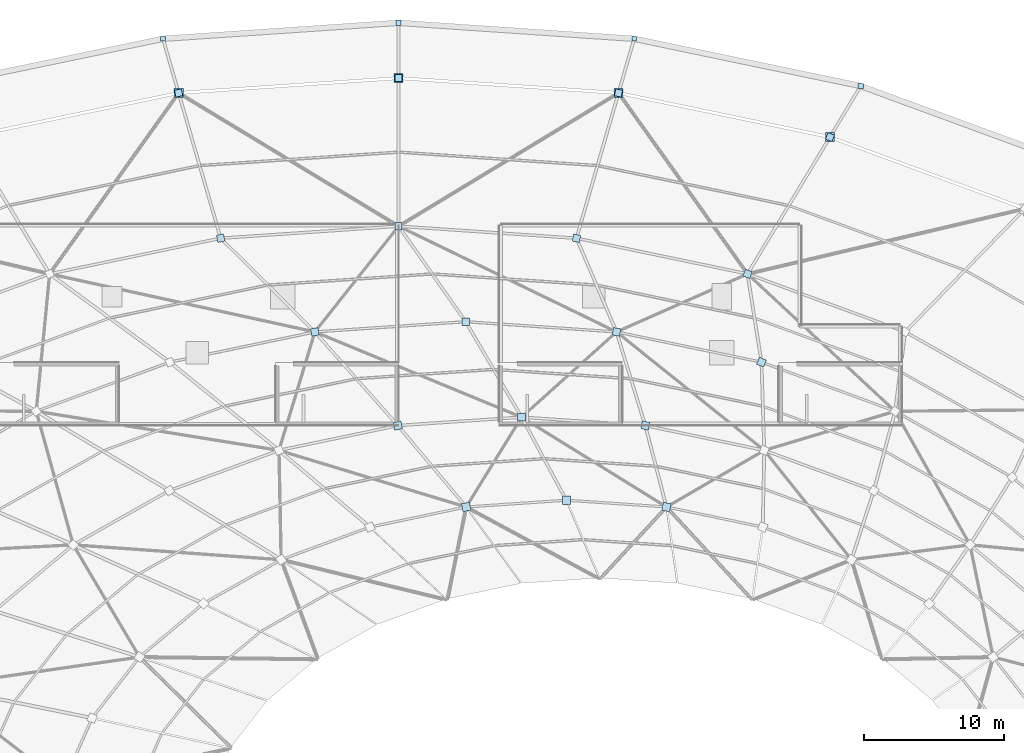
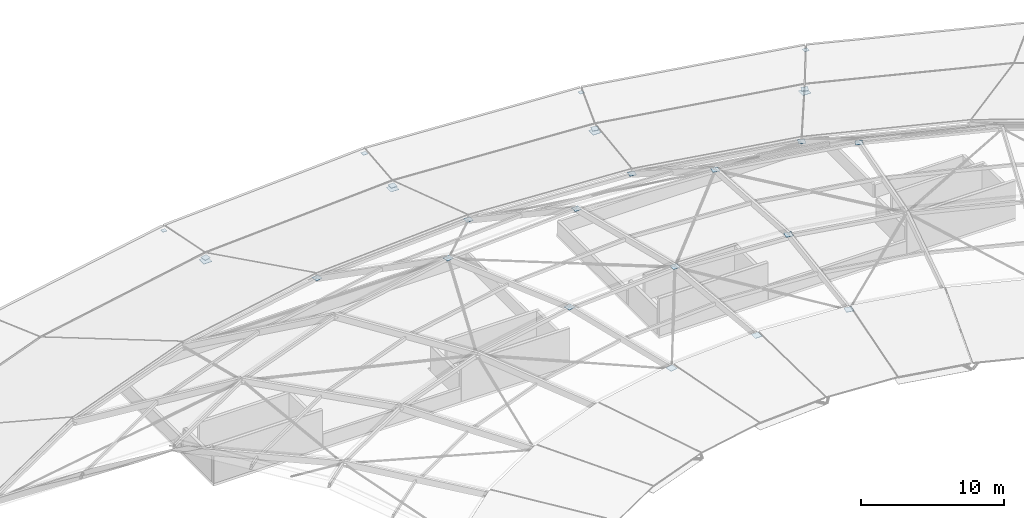
# One storey, part 21 of 30: 26 plates.
"""IFC4 building model written with IfcOpenShell, lengths in metres."""

import ifcopenshell
import ifcopenshell.guid

model = None  # the IFC model being written
_history = None  # IfcOwnerHistory: only IFC2X3 demands one
_inside = {}  # id of a spatial element -> (the spatial element, [elements in it])
_under = {}  # id of a project, library or spatial element -> (it, [spatial elements below it])
_declared = {}  # id of a project -> (the project, [libraries it declares])
_typed = {}  # id of a type object -> (the type object, [elements of that type])
_made_of = {}  # id of a material, layer set ... -> (it, [elements and type objects made of it])


def new_model(schema):
    """Start an empty IFC model of exactly this schema.

    Asked for "IFC4X3", IfcOpenShell would pick the latest addendum, in which some entities
    have other attributes; the version numbers below select the first issue.
    IFC2X3 requires an IfcOwnerHistory on every rooted entity: one is made here for all.
    """
    global model, _history
    if schema == "IFC4X3":
        model = ifcopenshell.file(schema_version=(4, 3, 0, 0))
    else:
        model = ifcopenshell.file(schema=schema)
    _inside.clear()
    _under.clear()
    _declared.clear()
    _typed.clear()
    _made_of.clear()
    _history = None
    if model.schema == "IFC2X3":
        org = make("IfcOrganization", Name="unknown")
        user = make(
            "IfcPersonAndOrganization",
            ThePerson=make("IfcPerson", FamilyName="unknown"),
            TheOrganization=org,
        )
        app = make(
            "IfcApplication",
            ApplicationDeveloper=org,
            Version="unknown",
            ApplicationFullName="unknown",
            ApplicationIdentifier="unknown",
        )
        _history = make(
            "IfcOwnerHistory",
            OwningUser=user,
            OwningApplication=app,
            ChangeAction="ADDED",
            CreationDate=0,
        )
    return model


def make(cls, **values):
    """One entity of the class cls with the attributes given. An attribute that is None is left unset."""
    return model.create_entity(
        cls, **{name: value for name, value in values.items() if value is not None}
    )


def rooted(cls, **values):
    """An entity with a GlobalId (a new one), such as an element, a storey or a relation."""
    return make(cls, GlobalId=ifcopenshell.guid.new(), OwnerHistory=_history, **values)


def si_unit(unit_type, name, prefix=None):
    """IfcSIUnit, for example si_unit("LENGTHUNIT", "METRE", prefix="MILLI")."""
    return make("IfcSIUnit", UnitType=unit_type, Prefix=prefix, Name=name)


def assignment(units):
    """IfcUnitAssignment: the units of a project."""
    return None if units is None else make("IfcUnitAssignment", Units=units)


def point(xyz):
    """IfcCartesianPoint."""
    return None if xyz is None else make("IfcCartesianPoint", Coordinates=xyz)


def direction(xyz):
    """IfcDirection."""
    return None if xyz is None else make("IfcDirection", DirectionRatios=xyz)


def frame(location, z_axis=None, x_axis=None):
    """IfcAxis2Placement3D, a coordinate frame: its origin and axes. An axis left out is left unset."""
    return make(
        "IfcAxis2Placement3D",
        Location=point(location),
        Axis=direction(z_axis),
        RefDirection=direction(x_axis),
    )


def frame_2d(location, x_axis=None):
    """IfcAxis2Placement2D, a coordinate frame in the plane: its origin and x axis."""
    return make(
        "IfcAxis2Placement2D", Location=point(location), RefDirection=direction(x_axis)
    )


def origin():
    """The frame at (0, 0, 0) with its axes left unset."""
    return frame((0.0, 0.0, 0.0))


def origin_2d():
    """The frame at (0, 0) in the plane with its x axis left unset."""
    return frame_2d((0.0, 0.0))


def place(relative_to, where):
    """IfcLocalPlacement: puts the frame where relative to a parent placement (None: the world)."""
    return make(
        "IfcLocalPlacement", PlacementRelTo=relative_to, RelativePlacement=where
    )


def context(
    kind, dimensions, precision=None, world=None, true_north=None, identifier=None
):
    """IfcGeometricRepresentationContext, for example the 3D "Model" context."""
    return make(
        "IfcGeometricRepresentationContext",
        ContextIdentifier=identifier,
        ContextType=kind,
        CoordinateSpaceDimension=dimensions,
        Precision=precision,
        WorldCoordinateSystem=world,
        TrueNorth=true_north,
    )


def subcontext(parent, identifier, kind, view, scale=None):
    """IfcGeometricRepresentationSubContext, for example "Body" below "Model"."""
    return make(
        "IfcGeometricRepresentationSubContext",
        ContextIdentifier=identifier,
        ContextType=kind,
        ParentContext=parent,
        TargetScale=scale,
        TargetView=view,
    )


def project(units=None, contexts=None):
    """IfcProject with its units and contexts."""
    return rooted(
        "IfcProject",
        Name="project",
        RepresentationContexts=contexts,
        UnitsInContext=assignment(units),
    )


def spatial(cls, under=None, at=None, **own):
    """A site, building, storey or space (cls), placed at a placement, below another one or the project."""
    s = rooted(cls, ObjectPlacement=at, **own)
    if under is not None:
        _under.setdefault(under.id(), (under, []))[1].append(s)
    return s


def profile(cls, at=None, kind="AREA", **sizes):
    """A parametric profile (cls). Its sizes go by their IFC names, for example OverallWidth=200.0."""
    return make(cls, ProfileType=kind, Position=at, **sizes)


def rectangle(**sizes):
    """IfcRectangleProfileDef."""
    return profile("IfcRectangleProfileDef", **sizes)


def extrude(swept, where, along, depth):
    """IfcExtrudedAreaSolid: the profile swept, set in the frame where, extruded along a direction by depth."""
    return make(
        "IfcExtrudedAreaSolid",
        SweptArea=swept,
        Position=where,
        ExtrudedDirection=direction(along),
        Depth=depth,
    )


def shape(context_of_items, identifier, shape_type, items):
    """IfcShapeRepresentation: the items that make up one representation, for example the "Body"."""
    return make(
        "IfcShapeRepresentation",
        ContextOfItems=context_of_items,
        RepresentationIdentifier=identifier,
        RepresentationType=shape_type,
        Items=items,
    )


def material(Name=None, Category=None):
    """IfcMaterial."""
    return make("IfcMaterial", Name=Name, Category=Category)


def layer(
    of_material, thickness, ventilated=None, Name=None, Category=None, Priority=None
):
    """IfcMaterialLayer: one layer of a wall or slab, of a material (None: an air gap)."""
    return make(
        "IfcMaterialLayer",
        Material=of_material,
        LayerThickness=thickness,
        IsVentilated=ventilated,
        Name=Name,
        Category=Category,
        Priority=Priority,
    )


def layer_set(layers, Name=None):
    """IfcMaterialLayerSet."""
    return make("IfcMaterialLayerSet", MaterialLayers=layers, LayerSetName=Name)


def made_of(thing, what):
    """Note that an element or type object is made of a material, layer set ...; save() writes the relation."""
    if what is not None:
        _made_of.setdefault(what.id(), (what, []))[1].append(thing)
    return thing


def type_object(cls, material=None, **own):
    """A type object (cls), such as IfcWallType, which elements share."""
    return made_of(rooted(cls, **own), material)


def element(
    cls,
    number,
    at=None,
    inside=None,
    cuts=None,
    type_object=None,
    material=None,
    context=None,
    identifier="Body",
    shape_type=None,
    held_by="IfcProductDefinitionShape",
    body=None,
    shapes=None,
    **own,
):
    """One element of the class cls, such as IfcWall. Its Tag is "e" and its number.

    at: its placement. inside: the storey or other place that contains it. cuts: it is an
    opening in that element (IfcRelVoidsElement). A single representation is given by context,
    identifier, shape_type and body (its items); several are given by shapes. held_by: the class
    of the entity that holds the representations. save() writes the other relations.
    """
    e = rooted(cls, Tag="e%d" % number, ObjectPlacement=at, **own)
    if body is not None:
        shapes = [shape(context, identifier, shape_type, body)]
    if shapes is not None:
        e.Representation = make(held_by, Representations=shapes)
    if inside is not None:
        _inside.setdefault(inside.id(), (inside, []))[1].append(e)
    if cuts is not None:
        rooted(
            "IfcRelVoidsElement", RelatingBuildingElement=cuts, RelatedOpeningElement=e
        )
    if type_object is not None:
        _typed.setdefault(type_object.id(), (type_object, []))[1].append(e)
    return made_of(e, material)


def aggregate(whole, parts):
    """IfcRelAggregates: a whole, such as a stair, and the parts it consists of."""
    return rooted("IfcRelAggregates", RelatingObject=whole, RelatedObjects=parts)


def save(model, path):
    """Write the relations noted so far, then the file.

    IfcRelAggregates (storeys below a building ...), IfcRelContainedInSpatialStructure (elements
    in a storey), IfcRelDefinesByType, IfcRelAssociatesMaterial and IfcRelDeclares: one each for
    every whole, place, type object, material and project.
    """
    for whole, parts in _under.values():
        aggregate(whole, parts)
    for where, things in _inside.values():
        rooted(
            "IfcRelContainedInSpatialStructure",
            RelatedElements=things,
            RelatingStructure=where,
        )
    for kind, things in _typed.values():
        rooted("IfcRelDefinesByType", RelatedObjects=things, RelatingType=kind)
    for what, things in _made_of.values():
        rooted("IfcRelAssociatesMaterial", RelatedObjects=things, RelatingMaterial=what)
    for by, libraries in _declared.values():
        rooted("IfcRelDeclares", RelatingContext=by, RelatedDefinitions=libraries)
    model.write(path)


model = new_model("IFC4")

# Units and contexts
model_context = context("Model", 3, precision=1e-05, world=origin(), true_north=direction((0.0, 1.0)))
body_context = subcontext(model_context, "Body", "Model", "MODEL_VIEW")
ifc_project = project(units=[si_unit("LENGTHUNIT", "METRE"), si_unit("AREAUNIT", "SQUARE_METRE"), si_unit("VOLUMEUNIT", "CUBIC_METRE"), si_unit("PLANEANGLEUNIT", "RADIAN"), si_unit("MASSUNIT", "GRAM", prefix="KILO")], contexts=[model_context])

# Site, building, storey
site_placement = place(None, origin())
site = spatial("IfcSite", under=ifc_project, at=site_placement, CompositionType="ELEMENT")
building_placement = place(site_placement, origin())
building = spatial("IfcBuilding", under=site, at=building_placement, Name="Namkhue Oval Health Centre", CompositionType="ELEMENT")
storey_placement = place(building_placement, frame((0.0, 0.0, 26.39990234375)))
storey = spatial("IfcBuildingStorey", under=building, at=storey_placement, Name="RF", CompositionType="ELEMENT", Elevation=26.39990234375)

# Plates
ifc_material = material(Name="Structural steel EN 10025-2 S355JR (TCVN 5575:2024)", Category="steel")
ifc_layer_1 = layer(ifc_material, 0.02490234375)
ifc_layer_set_1 = layer_set([ifc_layer_1], Name="Structural steel EN 10025-2 S355JR (TCVN 5575:2024)")
plate_type_1 = type_object("IfcPlateType", Name="BASE SPLICE PLATE 660X660X25", PredefinedType="USERDEFINED", material=ifc_layer_set_1)
for number, where, z_axis, x_axis, name in (
    (1, (117.259521484375, 110.619873046875, 0.047607421875), (0.0, 0.0, 1.0), (1.0, 0.0, 0.0), "Gridshell OR Ring Bearing Plate 7"),
    (2, (102.132080078125, 113.774658203125, 0.047607421875), (0.0, 0.0, 1.0), (1.0, 0.0, 0.0), "Gridshell OR Ring Bearing Plate 8"),
    (3, (86.39990234375, 114.840087890625, 0.047607421875), (0.0, 0.0, 1.0), (1.0, 0.0, 0.0), "Gridshell OR Ring Bearing Plate 9"),
    (4, (70.66796875, 113.774658203125, 0.047607421875), (0.0, 0.0, 1.0), (1.0, 0.0, 0.0), "Gridshell OR Ring Bearing Plate 10"),
):
    element("IfcPlate", number, at=place(storey_placement, frame(where, z_axis=z_axis, x_axis=x_axis)), inside=storey, type_object=plate_type_1, Name=name, ObjectType="BASE_PLATE", PredefinedType="USERDEFINED", context=body_context, shape_type="SweptSolid", body=[
        extrude(rectangle(XDim=0.659912109375, YDim=0.659912109375, at=origin_2d()), origin(), (0.0, 0.0, 1.0), 0.02490234375),
    ])
ifc_layer_2 = layer(ifc_material, 0.02001953125)
ifc_layer_set_2 = layer_set([ifc_layer_2], Name="Structural steel EN 10025-2 S355JR (TCVN 5575:2024)")
plate_type_2 = type_object("IfcPlateType", Name="GRIDSHELL GUSSET PLATE 500X500X20", PredefinedType="USERDEFINED", material=ifc_layer_set_2)
for number, where, z_axis, x_axis, name in (
    (5, (117.259521484375, 110.619873046875, 0.31005859375), (0.0, 0.0, 1.0), (0.382683432365, 0.923879532511, 0.0), "Gridshell Node Gusset Plate K1-7"),
    (6, (102.132080078125, 113.774658203125, 0.31005859375), (0.0, 0.0, 1.0), (0.195090322016, 0.980785280403, 0.0), "Gridshell Node Gusset Plate K1-8"),
    (7, (86.39990234375, 114.840087890625, 0.31005859375), (0.0, 0.0, 1.0), (0.0, 1.0, 0.0), "Gridshell Node Gusset Plate K1-9"),
    (8, (70.66796875, 113.774658203125, 0.31005859375), (0.0, 0.0, 1.0), (-0.195090322016, 0.980785280403, 0.0), "Gridshell Node Gusset Plate K1-10"),
):
    element("IfcPlate", number, at=place(storey_placement, frame(where, z_axis=z_axis, x_axis=x_axis)), inside=storey, type_object=plate_type_2, Name=name, ObjectType="GUSSET_PLATE", PredefinedType="USERDEFINED", context=body_context, shape_type="SweptSolid", body=[
        extrude(rectangle(XDim=0.5, YDim=0.5, at=origin_2d()), origin(), (0.0, 0.0, 1.0), 0.02001953125),
    ])
ifc_layer_3 = layer(ifc_material, 0.02197265625)
ifc_layer_set_3 = layer_set([ifc_layer_3], Name="Structural steel EN 10025-2 S355JR (TCVN 5575:2024)")
plate_type_3 = type_object("IfcPlateType", Name="GRIDSHELL GUSSET PLATE 520X520X22", PredefinedType="USERDEFINED", material=ifc_layer_set_3)
for number, where, z_axis, x_axis, name in (
    (9, (111.36328125, 100.833251953125, 3.80908203125), (0.0, 0.0, 1.0), (0.382683432365, 0.923879532511, 0.0), "Gridshell Node Gusset Plate K2-7"),
    (10, (99.126220703125, 103.38525390625, 3.80908203125), (0.0, 0.0, 1.0), (0.195090322016, 0.980785280403, 0.0), "Gridshell Node Gusset Plate K2-8"),
    (11, (86.39990234375, 104.2470703125, 3.80908203125), (0.0, 0.0, 1.0), (0.0, 1.0, 0.0), "Gridshell Node Gusset Plate K2-9"),
    (12, (73.673828125, 103.38525390625, 3.80908203125), (0.0, 0.0, 1.0), (-0.195090322016, 0.980785280403, 0.0), "Gridshell Node Gusset Plate K2-10"),
):
    element("IfcPlate", number, at=place(storey_placement, frame(where, z_axis=z_axis, x_axis=x_axis)), inside=storey, type_object=plate_type_3, Name=name, ObjectType="GUSSET_PLATE", PredefinedType="USERDEFINED", context=body_context, shape_type="SweptSolid", body=[
        extrude(rectangle(XDim=0.52001953125, YDim=0.52001953125, at=origin_2d()), origin(), (0.0, 0.0, 1.0), 0.02197265625),
    ])
ifc_layer_4 = layer(ifc_material, 0.02197265625)
ifc_layer_set_4 = layer_set([ifc_layer_4], Name="Structural steel EN 10025-2 S355JR (TCVN 5575:2024)")
plate_type_4 = type_object("IfcPlateType", Name="GRIDSHELL GUSSET PLATE 540X540X22", PredefinedType="USERDEFINED", material=ifc_layer_set_4)
for number, where, z_axis, x_axis, name in (
    (13, (112.36083984375, 94.522216796875, 7.209228515625), (0.0, 0.0, 1.0), (0.382683432365, 0.923879532511, 0.0), "Gridshell Node Gusset Plate K3-7"),
    (14, (101.98779296875, 96.685546875, 7.209228515625), (0.0, 0.0, 1.0), (0.195090322016, 0.980785280403, 0.0), "Gridshell Node Gusset Plate K3-8"),
    (15, (91.199951171875, 97.416015625, 7.209228515625), (0.0, 0.0, 1.0), (0.0, 1.0, 0.0), "Gridshell Node Gusset Plate K3-9"),
    (16, (80.412353515625, 96.685546875, 7.209228515625), (0.0, 0.0, 1.0), (-0.195090322016, 0.980785280403, 0.0), "Gridshell Node Gusset Plate K3-10"),
):
    element("IfcPlate", number, at=place(storey_placement, frame(where, z_axis=z_axis, x_axis=x_axis)), inside=storey, type_object=plate_type_4, Name=name, ObjectType="GUSSET_PLATE", PredefinedType="USERDEFINED", context=body_context, shape_type="SweptSolid", body=[
        extrude(rectangle(XDim=0.5400390625, YDim=0.5400390625, at=origin_2d()), origin(), (0.0, 0.0, 1.0), 0.02197265625),
    ])
ifc_layer_5 = layer(ifc_material, 0.02392578125)
ifc_layer_set_5 = layer_set([ifc_layer_5], Name="Structural steel EN 10025-2 S355JR (TCVN 5575:2024)")
plate_type_5 = type_object("IfcPlateType", Name="GRIDSHELL GUSSET PLATE 560X560X24", PredefinedType="USERDEFINED", material=ifc_layer_set_5)
for number, where, z_axis, x_axis, name in (
    (17, (104.04931640625, 89.98583984375, 5.008056640625), (0.0, 0.0, 1.0), (0.195090322016, 0.980785280403, 0.0), "Gridshell Node Gusset Plate K4-8"),
    (18, (95.199951171875, 90.5849609375, 5.008056640625), (0.0, 0.0, 1.0), (0.0, 1.0, 0.0), "Gridshell Node Gusset Plate K4-9"),
    (19, (86.3505859375, 89.98583984375, 5.008056640625), (0.0, 0.0, 1.0), (-0.195090322016, 0.980785280403, 0.0), "Gridshell Node Gusset Plate K4-10"),
):
    element("IfcPlate", number, at=place(storey_placement, frame(where, z_axis=z_axis, x_axis=x_axis)), inside=storey, type_object=plate_type_5, Name=name, ObjectType="GUSSET_PLATE", PredefinedType="USERDEFINED", context=body_context, shape_type="SweptSolid", body=[
        extrude(rectangle(XDim=0.56005859375, YDim=0.56005859375, at=origin_2d()), origin(), (0.0, 0.0, 1.0), 0.02392578125),
    ])
ifc_layer_6 = layer(ifc_material, 0.02392578125)
ifc_layer_set_6 = layer_set([ifc_layer_6], Name="Structural steel EN 10025-2 S355JR (TCVN 5575:2024)")
plate_type_6 = type_object("IfcPlateType", Name="GRIDSHELL GUSSET PLATE 580X580X24", PredefinedType="USERDEFINED", material=ifc_layer_set_6)
for number, where, z_axis, x_axis, name in (
    (20, (105.563720703125, 84.159912109375, 1.608154296875), (0.0, 0.0, 1.0), (0.195090322016, 0.980785280403, 0.0), "Gridshell Node Gusset Plate K5-8"),
    (21, (98.39990234375, 84.64501953125, 1.608154296875), (0.0, 0.0, 1.0), (0.0, 1.0, 0.0), "Gridshell Node Gusset Plate K5-9"),
    (22, (91.236328125, 84.159912109375, 1.608154296875), (0.0, 0.0, 1.0), (-0.195090322016, 0.980785280403, 0.0), "Gridshell Node Gusset Plate K5-10"),
):
    element("IfcPlate", number, at=place(storey_placement, frame(where, z_axis=z_axis, x_axis=x_axis)), inside=storey, type_object=plate_type_6, Name=name, ObjectType="GUSSET_PLATE", PredefinedType="USERDEFINED", context=body_context, shape_type="SweptSolid", body=[
        extrude(rectangle(XDim=0.580078125, YDim=0.580078125, at=origin_2d()), origin(), (0.0, 0.0, 1.0), 0.02392578125),
    ])
ifc_layer_7 = layer(ifc_material, 0.02001953125)
ifc_layer_set_7 = layer_set([ifc_layer_7], Name="Structural steel EN 10025-2 S355JR (TCVN 5575:2024)")
plate_type_7 = type_object("IfcPlateType", Name="STEEL END CAP PLATE 340X340X20", PredefinedType="USERDEFINED", material=ifc_layer_set_7)
for number, where, z_axis, x_axis, name in (
    (23, (103.255859375, 117.65869140625, 0.655029296875), (0.0, 0.0, 1.0), (1.0, 0.0, 0.0), "Outer Eaves Strut Cap Plate 8"),
    (24, (69.544189453125, 117.65869140625, 0.655029296875), (0.0, 0.0, 1.0), (1.0, 0.0, 0.0), "Outer Eaves Strut Cap Plate 10"),
):
    element("IfcPlate", number, at=place(storey_placement, frame(where, z_axis=z_axis, x_axis=x_axis)), inside=storey, type_object=plate_type_7, Name=name, ObjectType="BASE_PLATE", PredefinedType="USERDEFINED", context=body_context, shape_type="SweptSolid", body=[
        extrude(rectangle(XDim=0.340087890625, YDim=0.340087890625, at=origin_2d()), origin(), (0.0, 0.0, 1.0), 0.02001953125),
    ])
ifc_layer_8 = layer(ifc_material, 0.02197265625)
ifc_layer_set_8 = layer_set([ifc_layer_8], Name="Structural steel EN 10025-2 S355JR (TCVN 5575:2024)")
plate_type_8 = type_object("IfcPlateType", Name="STEEL END CAP PLATE 380X380X22", PredefinedType="USERDEFINED", material=ifc_layer_set_8)
for number, where, z_axis, x_axis, name in (
    (25, (119.4638671875, 114.278564453125, 0.654052734375), (0.0, 0.0, 1.0), (1.0, 0.0, 0.0), "Outer Eaves Strut Cap Plate 7"),
    (26, (86.39990234375, 118.800048828125, 0.654052734375), (0.0, 0.0, 1.0), (1.0, 0.0, 0.0), "Outer Eaves Strut Cap Plate 9"),
):
    element("IfcPlate", number, at=place(storey_placement, frame(where, z_axis=z_axis, x_axis=x_axis)), inside=storey, type_object=plate_type_8, Name=name, ObjectType="BASE_PLATE", PredefinedType="USERDEFINED", context=body_context, shape_type="SweptSolid", body=[
        extrude(rectangle(XDim=0.3798828125, YDim=0.3798828125, at=origin_2d()), origin(), (0.0, 0.0, 1.0), 0.02197265625),
    ])

save(model, "model.ifc")
